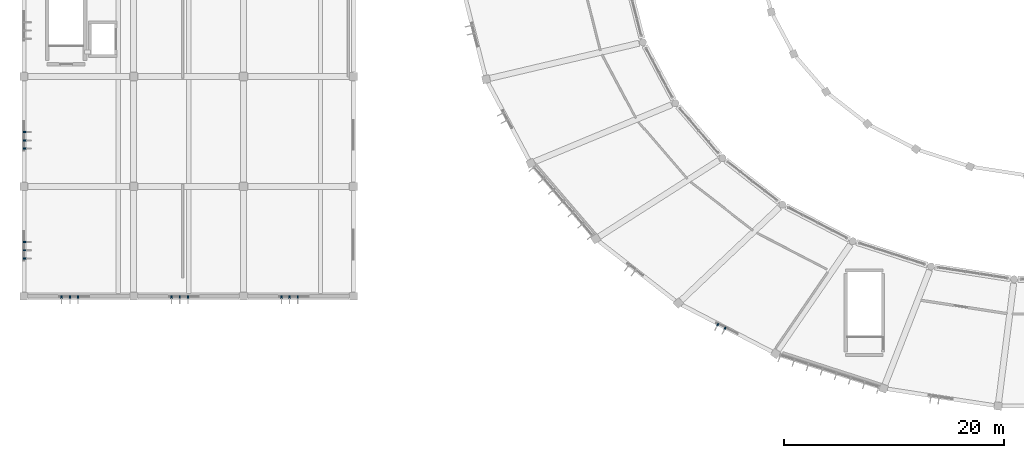
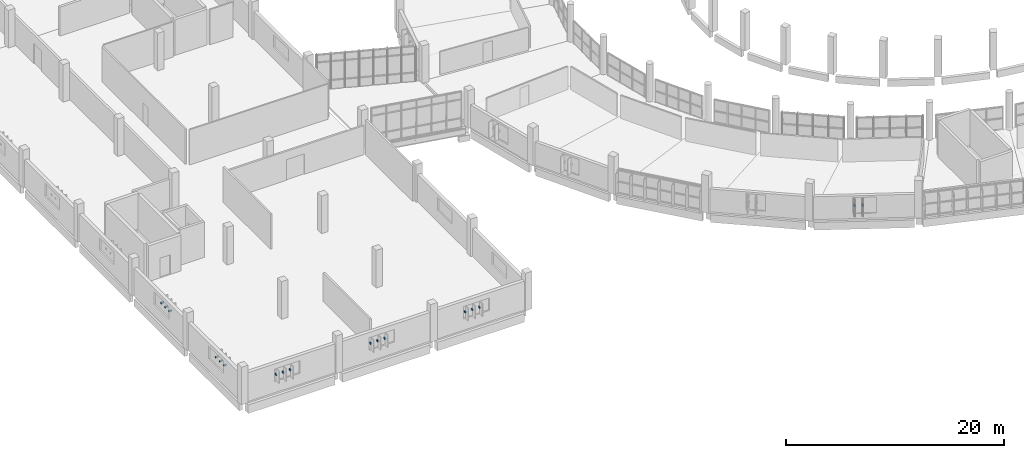
# One storey, part 108 of 142: 17 discrete accessories.
"""IFC4 building model written with IfcOpenShell, lengths in metres."""

from ifc_helpers import new_model, si_unit, direction, frame, origin, origin_2d, place, context, subcontext, project, spatial, rectangle, extrude, material, type_object, element, save


model = new_model("IFC4")

# Units and contexts
model_context = context("Model", 3, precision=1e-05, world=origin(), true_north=direction((0.0, 1.0)))
body_context = subcontext(model_context, "Body", "Model", "MODEL_VIEW")
ifc_project = project(units=[si_unit("LENGTHUNIT", "METRE"), si_unit("AREAUNIT", "SQUARE_METRE"), si_unit("VOLUMEUNIT", "CUBIC_METRE"), si_unit("PLANEANGLEUNIT", "RADIAN"), si_unit("MASSUNIT", "GRAM", prefix="KILO")], contexts=[model_context])

# Site, building, storey
site_placement = place(None, origin())
site = spatial("IfcSite", under=ifc_project, at=site_placement, CompositionType="ELEMENT")
building_placement = place(site_placement, origin())
building = spatial("IfcBuilding", under=site, at=building_placement, Name="Corvandel Quay Wholesale Market", CompositionType="ELEMENT")
storey_placement = place(building_placement, frame((0.0, 0.0, 10.800048828125)))
storey = spatial("IfcBuildingStorey", under=building, at=storey_placement, Name="L02", CompositionType="ELEMENT", Elevation=10.800048828125)

# Discrete accessories
ifc_material = material(Name="Austenitic stainless steel Grade 316", Category="steel")
discrete_accessory_type = type_object("IfcDiscreteAccessoryType", Name="Stainless Solar Fin Fixing Bracket BRK01", PredefinedType="USERDEFINED", material=ifc_material)
for number, where, z_axis, x_axis, name in (
    (1, (83.15380859375, 7.404541015625, 1.3798828125), (0.0, 0.0, 1.0), (0.461129250378, 0.887332978338, 0.0), "Fin Bracket 0110"),
    (2, (83.8193359375, 7.05859375, 1.3798828125), (0.0, 0.0, 1.0), (0.461129250378, 0.887332978338, 0.0), "Fin Bracket 0111"),
    (3, (20.10009765625, 13.43994140625, 1.93017578125), (0.0, 0.0, 1.0), (1.0, 0.0, 0.0), "Fin Bracket 0683"),
    (4, (20.10009765625, 14.18994140625, 1.93017578125), (0.0, 0.0, 1.0), (1.0, 0.0, 0.0), "Fin Bracket 0684"),
    (5, (20.10009765625, 14.93994140625, 1.93017578125), (0.0, 0.0, 1.0), (1.0, 0.0, 0.0), "Fin Bracket 0685"),
    (6, (20.10009765625, 23.43994140625, 1.93017578125), (0.0, 0.0, 1.0), (1.0, 0.0, 0.0), "Fin Bracket 0688"),
    (7, (20.10009765625, 24.18994140625, 1.93017578125), (0.0, 0.0, 1.0), (1.0, 0.0, 0.0), "Fin Bracket 0689"),
    (8, (20.10009765625, 24.93994140625, 1.93017578125), (0.0, 0.0, 1.0), (1.0, 0.0, 0.0), "Fin Bracket 0690"),
    (9, (23.43994140625, 9.89990234375, 1.8798828125), (0.0, 0.0, 1.0), (0.0, 1.0, 0.0), "Fin Bracket 0742"),
    (10, (24.18994140625, 9.89990234375, 1.8798828125), (0.0, 0.0, 1.0), (0.0, 1.0, 0.0), "Fin Bracket 0743"),
    (11, (24.93994140625, 9.89990234375, 1.8798828125), (0.0, 0.0, 1.0), (0.0, 1.0, 0.0), "Fin Bracket 0744"),
    (12, (33.43994140625, 9.89990234375, 1.8798828125), (0.0, 0.0, 1.0), (0.0, 1.0, 0.0), "Fin Bracket 0747"),
    (13, (34.18994140625, 9.89990234375, 1.8798828125), (0.0, 0.0, 1.0), (0.0, 1.0, 0.0), "Fin Bracket 0748"),
    (14, (34.93994140625, 9.89990234375, 1.8798828125), (0.0, 0.0, 1.0), (0.0, 1.0, 0.0), "Fin Bracket 0749"),
    (15, (43.43994140625, 9.89990234375, 1.8798828125), (0.0, 0.0, 1.0), (0.0, 1.0, 0.0), "Fin Bracket 0752"),
    (16, (44.18994140625, 9.89990234375, 1.8798828125), (0.0, 0.0, 1.0), (0.0, 1.0, 0.0), "Fin Bracket 0753"),
    (17, (44.93994140625, 9.89990234375, 1.8798828125), (0.0, 0.0, 1.0), (0.0, 1.0, 0.0), "Fin Bracket 0754"),
):
    element("IfcDiscreteAccessory", number, at=place(storey_placement, frame(where, z_axis=z_axis, x_axis=x_axis)), inside=storey, type_object=discrete_accessory_type, Name=name, ObjectType="BRACKET", PredefinedType="USERDEFINED", context=body_context, shape_type="SweptSolid", body=[
        extrude(rectangle(XDim=0.280029296875, YDim=0.1201171875, at=origin_2d()), origin(), (0.0, 0.0, 1.0), 0.139892578125),
    ])

save(model, "model.ifc")
